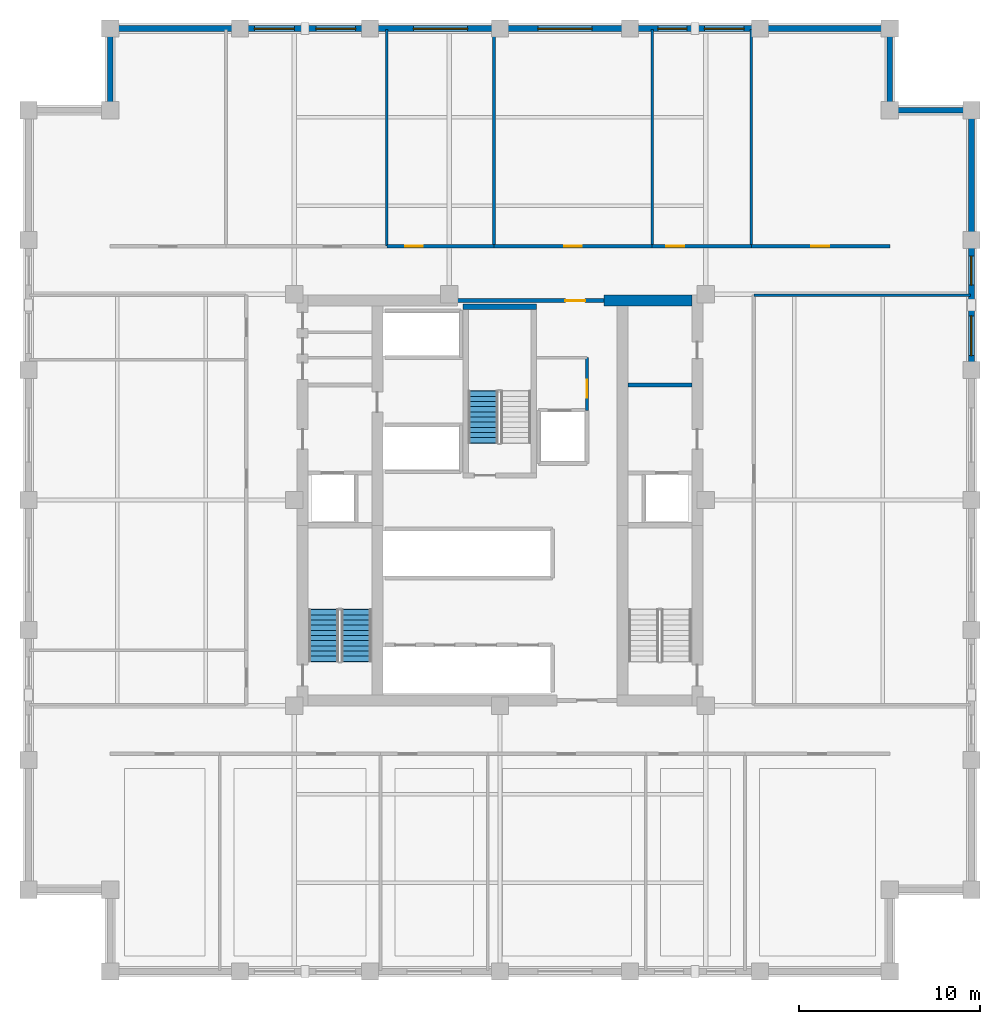
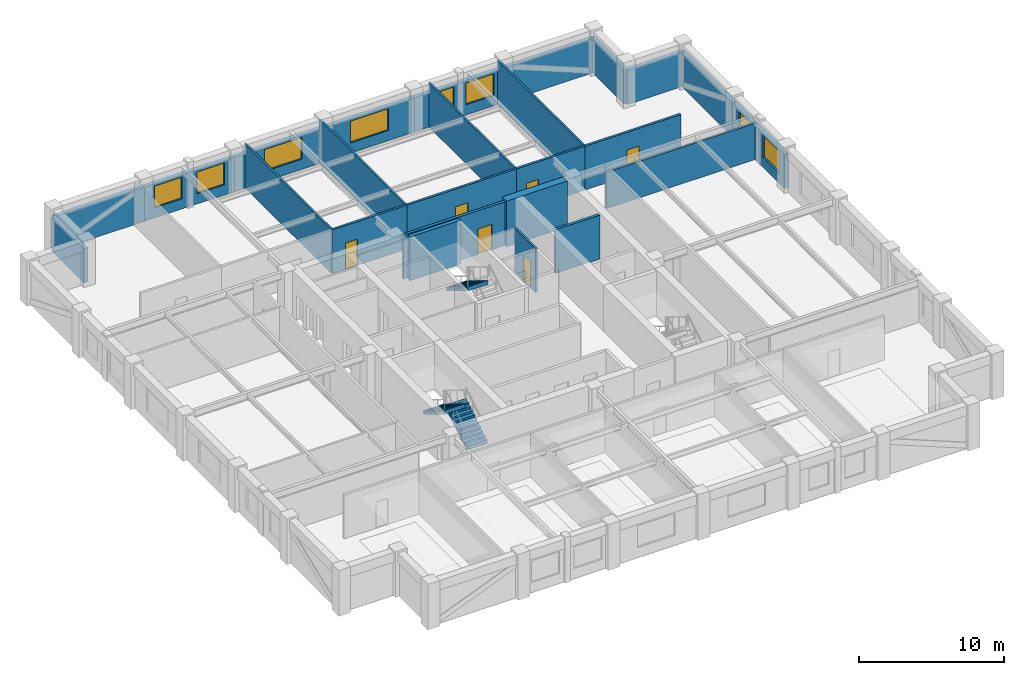
# One storey, part 5 of 9: 25 walls, 8 windows, 6 doors, 3 stair flights, 14 openings, 2 elements without a shape of their own.
"""IFC4 building model written with IfcOpenShell, lengths in metres."""

from ifc_helpers import new_model, si_unit, direction, frame, frame_2d, origin, place, context, subcontext, project, spatial, polyline, rectangle, outline, extrude, material, layer, layer_set, type_object, element, fill, aggregate, save


model = new_model("IFC4")

# Units and contexts
model_context = context("Model", 3, precision=1e-05, world=origin(), true_north=direction((0.0, 1.0)))
body_context = subcontext(model_context, "Body", "Model", "MODEL_VIEW")
ifc_project = project(units=[si_unit("LENGTHUNIT", "METRE"), si_unit("AREAUNIT", "SQUARE_METRE"), si_unit("VOLUMEUNIT", "CUBIC_METRE"), si_unit("PLANEANGLEUNIT", "RADIAN"), si_unit("MASSUNIT", "GRAM", prefix="KILO")], contexts=[model_context])

# Site, building, storey
site_placement = place(None, origin())
site = spatial("IfcSite", under=ifc_project, at=site_placement, CompositionType="ELEMENT")
building_placement = place(site_placement, origin())
building = spatial("IfcBuilding", under=site, at=building_placement, Name="Nhamokura Convention Tower", CompositionType="ELEMENT")
storey_placement = place(building_placement, frame((0.0, 0.0, 122.14990234375)))
storey = spatial("IfcBuildingStorey", under=building, at=storey_placement, Name="L29", CompositionType="ELEMENT", Elevation=122.14990234375)

# Wall
ifc_material_1 = material(Name="Bronze-pigmented precast concrete C45/55", Category="concrete")
ifc_layer_1 = layer(ifc_material_1, 0.320068359375)
ifc_layer_set_1 = layer_set([ifc_layer_1], Name="BronzePrecastSpandrel_320")
wall_type_1 = type_object("IfcWallType", Name="BronzePrecastSpandrel_320", PredefinedType="USERDEFINED", material=ifc_layer_set_1)
wall_1_placement = place(storey_placement, frame((10.5, 58.0, 0.0), z_axis=(0.0, 0.0, 1.0), x_axis=(1.0, 0.0, 0.0)))
element("IfcWall", 1, at=wall_1_placement, inside=storey, type_object=wall_type_1, Name="L29 Braced-Bay Precast Wall NORTH 0", ObjectType="SPANDREL_WALL", PredefinedType="USERDEFINED", context=body_context, shape_type="SweptSolid", body=[
    extrude(rectangle(XDim=7.166748046875, YDim=0.320068359375, at=frame_2d((3.58349609375, 0.0))), origin(), (0.0, 0.0, 1.0), 2.885009765625),
])

# Wall, openings, windows
wall_2_placement = place(storey_placement, frame((17.666748046875, 58.0, 0.0), z_axis=(0.0, 0.0, 1.0), x_axis=(1.0, 0.0, 0.0)))
wall_2 = element("IfcWall", 2, at=wall_2_placement, inside=storey, type_object=wall_type_1, Name="L29 Masonry-Frame Wall NORTH 1", ObjectType="SPANDREL_WALL", PredefinedType="USERDEFINED", context=body_context, shape_type="SweptSolid", body=[
    extrude(rectangle(XDim=7.16650390625, YDim=0.320068359375, at=frame_2d((3.583251953125, 0.0))), origin(), (0.0, 0.0, 1.0), 2.885009765625),
])
opening_1_placement = place(wall_2_placement, frame((0.791748046875, 0.0, 0.85009765625)))
opening_1 = element("IfcOpeningElement", 3, at=opening_1_placement, cuts=wall_2, Name="Opening W-06", PredefinedType="OPENING", context=body_context, shape_type="SweptSolid", body=[
    extrude(rectangle(XDim=2.199951171875, YDim=1.8349609375, at=frame_2d((1.10009765625, 0.91748046875))), frame((0.0, 0.169921875, 0.0), z_axis=(0.0, -1.0, 0.0), x_axis=(1.0, 0.0, 0.0)), (0.0, 0.0, 1.0), 0.340087890625),
])
opening_2_placement = place(wall_2_placement, frame((4.175048828125, 0.0, 0.85009765625)))
opening_2 = element("IfcOpeningElement", 4, at=opening_2_placement, cuts=wall_2, Name="Opening W-06", PredefinedType="OPENING", context=body_context, shape_type="SweptSolid", body=[
    extrude(rectangle(XDim=2.199951171875, YDim=1.8349609375, at=frame_2d((1.10009765625, 0.91748046875))), frame((0.0, 0.169921875, 0.0), z_axis=(0.0, -1.0, 0.0), x_axis=(1.0, 0.0, 0.0)), (0.0, 0.0, 1.0), 0.340087890625),
])
ifc_material_2 = material(Name="Solar-control bronze low-E double glass", Category="glass")
window_type_1 = type_object("IfcWindowType", Name="OfficeModuleWindow_Z2_2200", PartitioningType="SINGLE_PANEL", PredefinedType="WINDOW", material=ifc_material_2)
window_1_placement = place(opening_1_placement, origin())
window_1 = element("IfcWindow", 5, at=window_1_placement, inside=storey, type_object=window_type_1, Name="L29 Facade Window NORTH 1-1", OverallHeight=1.8349609375, OverallWidth=2.199951171875, PartitioningType="SINGLE_PANEL", PredefinedType="WINDOW", context=body_context, shape_type="SweptSolid", body=[
    extrude(rectangle(XDim=2.199951171875, YDim=1.8349609375, at=frame_2d((1.10009765625, 0.91748046875))), frame((0.0, 0.030029296875, 0.0), z_axis=(0.0, -1.0, 0.0), x_axis=(1.0, 0.0, 0.0)), (0.0, 0.0, 1.0), 0.06005859375),
])
fill(opening_1, window_1)
window_2_placement = place(opening_2_placement, origin())
window_2 = element("IfcWindow", 6, at=window_2_placement, inside=storey, type_object=window_type_1, Name="L29 Facade Window NORTH 1-2", OverallHeight=1.8349609375, OverallWidth=2.199951171875, PartitioningType="SINGLE_PANEL", PredefinedType="WINDOW", context=body_context, shape_type="SweptSolid", body=[
    extrude(rectangle(XDim=2.199951171875, YDim=1.8349609375, at=frame_2d((1.10009765625, 0.91748046875))), frame((0.0, 0.030029296875, 0.0), z_axis=(0.0, -1.0, 0.0), x_axis=(1.0, 0.0, 0.0)), (0.0, 0.0, 1.0), 0.06005859375),
])
fill(opening_2, window_2)

# Wall, opening, window
wall_3_placement = place(storey_placement, frame((24.833251953125, 58.0, 0.0), z_axis=(0.0, 0.0, 1.0), x_axis=(1.0, 0.0, 0.0)))
wall_3 = element("IfcWall", 7, at=wall_3_placement, inside=storey, type_object=wall_type_1, Name="L29 Masonry-Frame Wall NORTH 2", ObjectType="SPANDREL_WALL", PredefinedType="USERDEFINED", context=body_context, shape_type="SweptSolid", body=[
    extrude(rectangle(XDim=7.166748046875, YDim=0.320068359375, at=frame_2d((3.58349609375, 0.0))), origin(), (0.0, 0.0, 1.0), 2.885009765625),
])
opening_3_placement = place(wall_3_placement, frame((2.38330078125, 0.0, 0.85009765625)))
opening_3 = element("IfcOpeningElement", 8, at=opening_3_placement, cuts=wall_3, Name="Opening W-05", PredefinedType="OPENING", context=body_context, shape_type="SweptSolid", body=[
    extrude(rectangle(XDim=3.0, YDim=1.8349609375, at=frame_2d((1.5, 0.91748046875))), frame((0.0, 0.169921875, 0.0), z_axis=(0.0, -1.0, 0.0), x_axis=(1.0, 0.0, 0.0)), (0.0, 0.0, 1.0), 0.340087890625),
])
ifc_material_3 = material(Name="Solar-control bronze low-E double glass", Category="glass")
window_type_2 = type_object("IfcWindowType", Name="OfficeModuleWindow_Z2_3000", PartitioningType="DOUBLE_PANEL_VERTICAL", PredefinedType="WINDOW", material=ifc_material_3)
window_3_placement = place(opening_3_placement, origin())
window_3 = element("IfcWindow", 9, at=window_3_placement, inside=storey, type_object=window_type_2, Name="L29 Facade Window NORTH 2", OverallHeight=1.8349609375, OverallWidth=3.0, PartitioningType="SINGLE_PANEL", PredefinedType="WINDOW", context=body_context, shape_type="SweptSolid", body=[
    extrude(rectangle(XDim=3.0, YDim=1.8349609375, at=frame_2d((1.5, 0.91748046875))), frame((0.0, 0.030029296875, 0.0), z_axis=(0.0, -1.0, 0.0), x_axis=(1.0, 0.0, 0.0)), (0.0, 0.0, 1.0), 0.06005859375),
])
fill(opening_3, window_3)

wall_4_placement = place(storey_placement, frame((32.0, 58.0, 0.0), z_axis=(0.0, 0.0, 1.0), x_axis=(1.0, 0.0, 0.0)))
wall_4 = element("IfcWall", 10, at=wall_4_placement, inside=storey, type_object=wall_type_1, Name="L29 Masonry-Frame Wall NORTH 3", ObjectType="SPANDREL_WALL", PredefinedType="USERDEFINED", context=body_context, shape_type="SweptSolid", body=[
    extrude(rectangle(XDim=7.166748046875, YDim=0.320068359375, at=frame_2d((3.58349609375, 0.0))), origin(), (0.0, 0.0, 1.0), 2.885009765625),
])
opening_4_placement = place(wall_4_placement, frame((2.083251953125, 0.0, 0.85009765625)))
opening_4 = element("IfcOpeningElement", 11, at=opening_4_placement, cuts=wall_4, Name="Opening W-05", PredefinedType="OPENING", context=body_context, shape_type="SweptSolid", body=[
    extrude(rectangle(XDim=3.0, YDim=1.8349609375, at=frame_2d((1.5, 0.91748046875))), frame((0.0, 0.169921875, 0.0), z_axis=(0.0, -1.0, 0.0), x_axis=(1.0, 0.0, 0.0)), (0.0, 0.0, 1.0), 0.340087890625),
])
window_4_placement = place(opening_4_placement, origin())
window_4 = element("IfcWindow", 12, at=window_4_placement, inside=storey, type_object=window_type_2, Name="L29 Facade Window NORTH 3", OverallHeight=1.8349609375, OverallWidth=3.0, PartitioningType="SINGLE_PANEL", PredefinedType="WINDOW", context=body_context, shape_type="SweptSolid", body=[
    extrude(rectangle(XDim=3.0, YDim=1.8349609375, at=frame_2d((1.5, 0.91748046875))), frame((0.0, 0.030029296875, 0.0), z_axis=(0.0, -1.0, 0.0), x_axis=(1.0, 0.0, 0.0)), (0.0, 0.0, 1.0), 0.06005859375),
])
fill(opening_4, window_4)

# Wall, openings, windows
wall_5_placement = place(storey_placement, frame((39.166748046875, 58.0, 0.0), z_axis=(0.0, 0.0, 1.0), x_axis=(1.0, 0.0, 0.0)))
wall_5 = element("IfcWall", 13, at=wall_5_placement, inside=storey, type_object=wall_type_1, Name="L29 Masonry-Frame Wall NORTH 4", ObjectType="SPANDREL_WALL", PredefinedType="USERDEFINED", context=body_context, shape_type="SweptSolid", body=[
    extrude(rectangle(XDim=7.16650390625, YDim=0.320068359375, at=frame_2d((3.583251953125, 0.0))), origin(), (0.0, 0.0, 1.0), 2.885009765625),
])
opening_5_placement = place(wall_5_placement, frame((1.541748046875, 0.0, 0.85009765625)))
opening_5 = element("IfcOpeningElement", 14, at=opening_5_placement, cuts=wall_5, Name="Opening W-11", PredefinedType="OPENING", context=body_context, shape_type="SweptSolid", body=[
    extrude(rectangle(XDim=1.60009765625, YDim=1.8349609375, at=frame_2d((0.800048828125, 0.91748046875))), frame((0.0, 0.169921875, 0.0), z_axis=(0.0, -1.0, 0.0), x_axis=(1.0, 0.0, 0.0)), (0.0, 0.0, 1.0), 0.340087890625),
])
opening_6_placement = place(wall_5_placement, frame((4.10009765625, 0.0, 0.85009765625)))
opening_6 = element("IfcOpeningElement", 15, at=opening_6_placement, cuts=wall_5, Name="Opening W-06", PredefinedType="OPENING", context=body_context, shape_type="SweptSolid", body=[
    extrude(rectangle(XDim=2.199951171875, YDim=1.8349609375, at=frame_2d((1.10009765625, 0.91748046875))), frame((0.0, 0.169921875, 0.0), z_axis=(0.0, -1.0, 0.0), x_axis=(1.0, 0.0, 0.0)), (0.0, 0.0, 1.0), 0.340087890625),
])
ifc_material_4 = material(Name="Solar-control bronze low-E double glass", Category="glass")
window_type_3 = type_object("IfcWindowType", Name="NotchCornerWindow_1600", PartitioningType="SINGLE_PANEL", PredefinedType="WINDOW", material=ifc_material_4)
window_5_placement = place(opening_5_placement, origin())
window_5 = element("IfcWindow", 16, at=window_5_placement, inside=storey, type_object=window_type_3, Name="L29 Facade Window NORTH 4-2", OverallHeight=1.8349609375, OverallWidth=1.60009765625, PartitioningType="SINGLE_PANEL", PredefinedType="WINDOW", context=body_context, shape_type="SweptSolid", body=[
    extrude(rectangle(XDim=1.60009765625, YDim=1.8349609375, at=frame_2d((0.800048828125, 0.91748046875))), frame((0.0, 0.030029296875, 0.0), z_axis=(0.0, -1.0, 0.0), x_axis=(1.0, 0.0, 0.0)), (0.0, 0.0, 1.0), 0.06005859375),
])
fill(opening_5, window_5)
window_6_placement = place(opening_6_placement, origin())
window_6 = element("IfcWindow", 17, at=window_6_placement, inside=storey, type_object=window_type_1, Name="L29 Facade Window NORTH 4-3", OverallHeight=1.8349609375, OverallWidth=2.199951171875, PartitioningType="SINGLE_PANEL", PredefinedType="WINDOW", context=body_context, shape_type="SweptSolid", body=[
    extrude(rectangle(XDim=2.199951171875, YDim=1.8349609375, at=frame_2d((1.10009765625, 0.91748046875))), frame((0.0, 0.030029296875, 0.0), z_axis=(0.0, -1.0, 0.0), x_axis=(1.0, 0.0, 0.0)), (0.0, 0.0, 1.0), 0.06005859375),
])
fill(opening_6, window_6)

# Wall
wall_6_placement = place(storey_placement, frame((46.333251953125, 58.0, 0.0), z_axis=(0.0, 0.0, 1.0), x_axis=(1.0, 0.0, 0.0)))
element("IfcWall", 18, at=wall_6_placement, inside=storey, type_object=wall_type_1, Name="L29 Braced-Bay Precast Wall NORTH 5", ObjectType="SPANDREL_WALL", PredefinedType="USERDEFINED", context=body_context, shape_type="SweptSolid", body=[
    extrude(rectangle(XDim=7.166748046875, YDim=0.320068359375, at=frame_2d((3.58349609375, 0.0))), origin(), (0.0, 0.0, 1.0), 2.885009765625),
])

# Wall, openings, windows
wall_7_placement = place(storey_placement, frame((58.0, 46.333251953125, 0.0), z_axis=(0.0, 0.0, 1.0), x_axis=(0.0, -1.0, 0.0)))
wall_7 = element("IfcWall", 19, at=wall_7_placement, inside=storey, type_object=wall_type_1, Name="L29 Masonry-Frame Wall EAST 4", ObjectType="SPANDREL_WALL", PredefinedType="USERDEFINED", context=body_context, shape_type="SweptSolid", body=[
    extrude(rectangle(XDim=7.16650390625, YDim=0.320068359375, at=frame_2d((3.583251953125, 0.0))), origin(), (0.0, 0.0, 1.0), 2.885009765625),
])
opening_7_placement = place(wall_7_placement, frame((0.879150390625, 0.0, 0.85009765625)))
opening_7 = element("IfcOpeningElement", 20, at=opening_7_placement, cuts=wall_7, Name="Opening W-11", PredefinedType="OPENING", context=body_context, shape_type="SweptSolid", body=[
    extrude(rectangle(XDim=1.60009765625, YDim=1.8349609375, at=frame_2d((0.800048828125, 0.91748046875))), frame((0.0, 0.169921875, 0.0), z_axis=(0.0, -1.0, 0.0), x_axis=(1.0, 0.0, 0.0)), (0.0, 0.0, 1.0), 0.340087890625),
])
opening_8_placement = place(wall_7_placement, frame((4.175048828125, 0.0, 0.85009765625)))
opening_8 = element("IfcOpeningElement", 21, at=opening_8_placement, cuts=wall_7, Name="Opening W-06", PredefinedType="OPENING", context=body_context, shape_type="SweptSolid", body=[
    extrude(rectangle(XDim=2.199951171875, YDim=1.8349609375, at=frame_2d((1.10009765625, 0.91748046875))), frame((0.0, 0.169921875, 0.0), z_axis=(0.0, -1.0, 0.0), x_axis=(1.0, 0.0, 0.0)), (0.0, 0.0, 1.0), 0.340087890625),
])
window_7_placement = place(opening_7_placement, origin())
window_7 = element("IfcWindow", 22, at=window_7_placement, inside=storey, type_object=window_type_3, Name="L29 Facade Window EAST 4-1", OverallHeight=1.8349609375, OverallWidth=1.60009765625, PartitioningType="SINGLE_PANEL", PredefinedType="WINDOW", context=body_context, shape_type="SweptSolid", body=[
    extrude(rectangle(XDim=1.60009765625, YDim=1.8349609375, at=frame_2d((0.800048828125, 0.91748046875))), frame((0.0, 0.030029296875, 0.0), z_axis=(0.0, -1.0, 0.0), x_axis=(1.0, 0.0, 0.0)), (0.0, 0.0, 1.0), 0.06005859375),
])
fill(opening_7, window_7)
window_8_placement = place(opening_8_placement, origin())
window_8 = element("IfcWindow", 23, at=window_8_placement, inside=storey, type_object=window_type_1, Name="L29 Facade Window EAST 4-2", OverallHeight=1.8349609375, OverallWidth=2.199951171875, PartitioningType="SINGLE_PANEL", PredefinedType="WINDOW", context=body_context, shape_type="SweptSolid", body=[
    extrude(rectangle(XDim=2.199951171875, YDim=1.8349609375, at=frame_2d((1.10009765625, 0.91748046875))), frame((0.0, 0.030029296875, 0.0), z_axis=(0.0, -1.0, 0.0), x_axis=(1.0, 0.0, 0.0)), (0.0, 0.0, 1.0), 0.06005859375),
])
fill(opening_8, window_8)

# Walls
wall_8_placement = place(storey_placement, frame((58.0, 53.5, 0.0), z_axis=(0.0, 0.0, 1.0), x_axis=(0.0, -1.0, 0.0)))
element("IfcWall", 24, at=wall_8_placement, inside=storey, type_object=wall_type_1, Name="L29 Braced-Bay Precast Wall EAST 5", ObjectType="SPANDREL_WALL", PredefinedType="USERDEFINED", context=body_context, shape_type="SweptSolid", body=[
    extrude(rectangle(XDim=7.166748046875, YDim=0.320068359375, at=frame_2d((3.58349609375, 0.0))), origin(), (0.0, 0.0, 1.0), 2.885009765625),
])
for number, where, z_axis, x_axis, name in (
    (25, (53.5, 53.5, 0.0), (0.0, 0.0, 1.0), (1.0, 0.0, 0.0), "L29 Notched Corner Wall NE1"),
    (26, (53.5, 58.0, 0.0), (0.0, 0.0, 1.0), (0.0, -1.0, 0.0), "L29 Notched Corner Wall NE2"),
    (27, (10.5, 53.5, 0.0), (0.0, 0.0, 1.0), (0.0, 1.0, 0.0), "L29 Notched Corner Wall NW1"),
):
    element("IfcWall", number, at=place(storey_placement, frame(where, z_axis=z_axis, x_axis=x_axis)), inside=storey, type_object=wall_type_1, Name=name, ObjectType="SPANDREL_WALL", PredefinedType="USERDEFINED", context=body_context, shape_type="SweptSolid", body=[
        extrude(rectangle(XDim=4.5, YDim=0.320068359375, at=frame_2d((2.25, 0.0))), origin(), (0.0, 0.0, 1.0), 2.885009765625),
    ])
ifc_material_5 = material(Name="Concrete C60/75", Category="concrete")
ifc_layer_2 = layer(ifc_material_5, 0.60009765625)
ifc_layer_set_2 = layer_set([ifc_layer_2], Name="CoreShearWall_600")
wall_type_2 = type_object("IfcWallType", Name="CoreShearWall_600", PredefinedType="SHEAR", material=ifc_layer_set_2)
wall_9_placement = place(storey_placement, frame((37.75, 43.0, 0.0), z_axis=(0.0, 0.0, 1.0), x_axis=(1.0, 0.0, 0.0)))
element("IfcWall", 28, at=wall_9_placement, inside=storey, type_object=wall_type_2, Name="L29 Core Shear Wall CW-N2", PredefinedType="SHEAR", context=body_context, shape_type="SweptSolid", body=[
    extrude(rectangle(XDim=4.840087890625, YDim=0.60009765625, at=frame_2d((2.419921875, 0.0))), origin(), (0.0, 0.0, 1.0), 3.85009765625),
])

# Wall, opening, door
ifc_material_6 = material(Name="Fire-rated gypsum and masonry partition", Category="masonry")
ifc_layer_3 = layer(ifc_material_6, 0.179931640625)
ifc_layer_set_3 = layer_set([ifc_layer_3], Name="CorridorRatedWall_180")
wall_type_3 = type_object("IfcWallType", Name="CorridorRatedWall_180", PredefinedType="STANDARD", material=ifc_layer_set_3)
wall_10_placement = place(storey_placement, frame((25.75830078125, 46.0, 0.0), z_axis=(0.0, 0.0, 1.0), x_axis=(1.0, 0.0, 0.0)))
wall_10 = element("IfcWall", 29, at=wall_10_placement, inside=storey, type_object=wall_type_3, Name="L29 Wall INT-L29-CW-N02", PredefinedType="STANDARD", context=body_context, shape_type="SweptSolid", body=[
    extrude(rectangle(XDim=5.916748046875, YDim=0.179931640625, at=frame_2d((2.95849609375, 0.0))), origin(), (0.0, 0.0, 1.0), 3.68505859375),
])
opening_9_placement = place(wall_10_placement, frame((1.00830078125, 0.0, 0.0)))
opening_9 = element("IfcOpeningElement", 30, at=opening_9_placement, cuts=wall_10, Name="Opening D-08", PredefinedType="OPENING", context=body_context, shape_type="SweptSolid", body=[
    extrude(rectangle(XDim=0.97998046875, YDim=2.199951171875, at=frame_2d((0.489990234375, 1.10009765625))), frame((0.0, 0.099853515625, 0.0), z_axis=(0.0, -1.0, 0.0), x_axis=(1.0, 0.0, 0.0)), (0.0, 0.0, 1.0), 0.199951171875),
])
ifc_material_7 = material(Name="Solid oak hardwood", Category="wood")
door_type_1 = type_object("IfcDoorType", Name="OfficeEntryDoor_980", OperationType="NOTDEFINED", PredefinedType="DOOR", material=ifc_material_7)
door_1_placement = place(opening_9_placement, origin())
door_1 = element("IfcDoor", 31, at=door_1_placement, inside=storey, type_object=door_type_1, Name="L29 Training Classroom N03 Door", OperationType="SINGLE_SWING_LEFT", OverallHeight=2.199951171875, OverallWidth=0.97998046875, PredefinedType="DOOR", context=body_context, shape_type="SweptSolid", body=[
    extrude(rectangle(XDim=0.97998046875, YDim=2.199951171875, at=frame_2d((0.489990234375, 1.10009765625))), frame((0.0, 0.02490234375, 0.0), z_axis=(0.0, -1.0, 0.0), x_axis=(1.0, 0.0, 0.0)), (0.0, 0.0, 1.0), 0.050048828125),
])
fill(opening_9, door_1)

wall_11_placement = place(storey_placement, frame((31.675048828125, 46.0, 0.0), z_axis=(0.0, 0.0, 1.0), x_axis=(1.0, 0.0, 0.0)))
wall_11 = element("IfcWall", 32, at=wall_11_placement, inside=storey, type_object=wall_type_3, Name="L29 Wall INT-L29-CW-N03", PredefinedType="STANDARD", context=body_context, shape_type="SweptSolid", body=[
    extrude(rectangle(XDim=8.716552734375, YDim=0.179931640625, at=frame_2d((4.3583984375, 0.0))), origin(), (0.0, 0.0, 1.0), 3.68505859375),
])
opening_10_placement = place(wall_11_placement, frame((3.8583984375, 0.0, 0.0)))
opening_10 = element("IfcOpeningElement", 33, at=opening_10_placement, cuts=wall_11, Name="Opening D-08", PredefinedType="OPENING", context=body_context, shape_type="SweptSolid", body=[
    extrude(rectangle(XDim=0.97998046875, YDim=2.199951171875, at=frame_2d((0.489990234375, 1.10009765625))), frame((0.0, 0.099853515625, 0.0), z_axis=(0.0, -1.0, 0.0), x_axis=(1.0, 0.0, 0.0)), (0.0, 0.0, 1.0), 0.199951171875),
])
door_2_placement = place(opening_10_placement, origin())
door_2 = element("IfcDoor", 34, at=door_2_placement, inside=storey, type_object=door_type_1, Name="L29 Law Library N04 Door", OperationType="SINGLE_SWING_RIGHT", OverallHeight=2.199951171875, OverallWidth=0.97998046875, PredefinedType="DOOR", context=body_context, shape_type="SweptSolid", body=[
    extrude(rectangle(XDim=0.97998046875, YDim=2.199951171875, at=frame_2d((0.489990234375, 1.10009765625))), frame((0.0, 0.02490234375, 0.0), z_axis=(0.0, -1.0, 0.0), x_axis=(1.0, 0.0, 0.0)), (0.0, 0.0, 1.0), 0.050048828125),
])
fill(opening_10, door_2)

wall_12_placement = place(storey_placement, frame((40.3916015625, 46.0, 0.0), z_axis=(0.0, 0.0, 1.0), x_axis=(1.0, 0.0, 0.0)))
wall_12 = element("IfcWall", 35, at=wall_12_placement, inside=storey, type_object=wall_type_3, Name="L29 Wall INT-L29-CW-N04", PredefinedType="STANDARD", context=body_context, shape_type="SweptSolid", body=[
    extrude(rectangle(XDim=5.466796875, YDim=0.179931640625, at=frame_2d((2.7333984375, 0.0))), origin(), (0.0, 0.0, 1.0), 3.68505859375),
])
opening_11_placement = place(wall_12_placement, frame((0.783203125, 0.0, 0.0)))
opening_11 = element("IfcOpeningElement", 36, at=opening_11_placement, cuts=wall_12, Name="Opening D-08", PredefinedType="OPENING", context=body_context, shape_type="SweptSolid", body=[
    extrude(rectangle(XDim=0.97998046875, YDim=2.199951171875, at=frame_2d((0.489990234375, 1.10009765625))), frame((0.0, 0.099853515625, 0.0), z_axis=(0.0, -1.0, 0.0), x_axis=(1.0, 0.0, 0.0)), (0.0, 0.0, 1.0), 0.199951171875),
])
door_3_placement = place(opening_11_placement, origin())
door_3 = element("IfcDoor", 37, at=door_3_placement, inside=storey, type_object=door_type_1, Name="L29 Training Classroom N05 Door", OperationType="SINGLE_SWING_LEFT", OverallHeight=2.199951171875, OverallWidth=0.97998046875, PredefinedType="DOOR", context=body_context, shape_type="SweptSolid", body=[
    extrude(rectangle(XDim=0.97998046875, YDim=2.199951171875, at=frame_2d((0.489990234375, 1.10009765625))), frame((0.0, 0.02490234375, 0.0), z_axis=(0.0, -1.0, 0.0), x_axis=(1.0, 0.0, 0.0)), (0.0, 0.0, 1.0), 0.050048828125),
])
fill(opening_11, door_3)

wall_13_placement = place(storey_placement, frame((45.8583984375, 46.0, 0.0), z_axis=(0.0, 0.0, 1.0), x_axis=(1.0, 0.0, 0.0)))
wall_13 = element("IfcWall", 38, at=wall_13_placement, inside=storey, type_object=wall_type_3, Name="L29 Wall INT-L29-CW-N05", PredefinedType="STANDARD", context=body_context, shape_type="SweptSolid", body=[
    extrude(rectangle(XDim=7.6416015625, YDim=0.179931640625, at=frame_2d((3.82080078125, 0.0))), origin(), (0.0, 0.0, 1.0), 3.68505859375),
])
opening_12_placement = place(wall_13_placement, frame((3.32080078125, 0.0, 0.0)))
opening_12 = element("IfcOpeningElement", 39, at=opening_12_placement, cuts=wall_13, Name="Opening D-08", PredefinedType="OPENING", context=body_context, shape_type="SweptSolid", body=[
    extrude(rectangle(XDim=0.97998046875, YDim=2.199951171875, at=frame_2d((0.489990234375, 1.10009765625))), frame((0.0, 0.099853515625, 0.0), z_axis=(0.0, -1.0, 0.0), x_axis=(1.0, 0.0, 0.0)), (0.0, 0.0, 1.0), 0.199951171875),
])
door_4_placement = place(opening_12_placement, origin())
door_4 = element("IfcDoor", 40, at=door_4_placement, inside=storey, type_object=door_type_1, Name="L29 Law Library N06 Door", OperationType="SINGLE_SWING_RIGHT", OverallHeight=2.199951171875, OverallWidth=0.97998046875, PredefinedType="DOOR", context=body_context, shape_type="SweptSolid", body=[
    extrude(rectangle(XDim=0.97998046875, YDim=2.199951171875, at=frame_2d((0.489990234375, 1.10009765625))), frame((0.0, 0.02490234375, 0.0), z_axis=(0.0, -1.0, 0.0), x_axis=(1.0, 0.0, 0.0)), (0.0, 0.0, 1.0), 0.050048828125),
])
fill(opening_12, door_4)

# Wall
ifc_material_8 = material(Name="Autoclaved concrete blockwork", Category="masonry")
ifc_layer_4 = layer(ifc_material_8, 0.219970703125)
ifc_layer_set_4 = layer_set([ifc_layer_4], Name="FireLobbyWall_220")
wall_type_4 = type_object("IfcWallType", Name="FireLobbyWall_220", PredefinedType="STANDARD", material=ifc_layer_set_4)
wall_14_placement = place(storey_placement, frame((39.06005859375, 38.35009765625, 0.0), z_axis=(0.0, 0.0, 1.0), x_axis=(1.0, 0.0, 0.0)))
element("IfcWall", 41, at=wall_14_placement, inside=storey, type_object=wall_type_4, Name="L29 Wall INT-L29-FFE-N", PredefinedType="STANDARD", context=body_context, shape_type="SweptSolid", body=[
    extrude(rectangle(XDim=3.530029296875, YDim=0.219970703125, at=frame_2d((1.76513671875, 0.0))), origin(), (0.0, 0.0, 1.0), 3.68505859375),
])

# Wall, opening, door
wall_15_placement = place(storey_placement, frame((29.64990234375, 43.0, 0.0), z_axis=(0.0, 0.0, 1.0), x_axis=(1.0, 0.0, 0.0)))
wall_15 = element("IfcWall", 42, at=wall_15_placement, inside=storey, type_object=wall_type_4, Name="L29 Wall INT-L29-CPORT-N", PredefinedType="STANDARD", context=body_context, shape_type="SweptSolid", body=[
    extrude(rectangle(XDim=8.10009765625, YDim=0.219970703125, at=frame_2d((4.050048828125, 0.0))), origin(), (0.0, 0.0, 1.0), 3.68505859375),
])
opening_13_placement = place(wall_15_placement, frame((5.949951171875, 0.0, 0.0)))
opening_13 = element("IfcOpeningElement", 43, at=opening_13_placement, cuts=wall_15, Name="Opening D-05", PredefinedType="OPENING", context=body_context, shape_type="SweptSolid", body=[
    extrude(rectangle(XDim=1.10009765625, YDim=2.14990234375, at=frame_2d((0.550048828125, 1.074951171875))), frame((0.0, 0.119873046875, 0.0), z_axis=(0.0, -1.0, 0.0), x_axis=(1.0, 0.0, 0.0)), (0.0, 0.0, 1.0), 0.239990234375),
])
ifc_material_9 = material(Name="Fire-rated steel door", Category="steel")
door_type_2 = type_object("IfcDoorType", Name="FireLobbyDoor_1100", OperationType="NOTDEFINED", PredefinedType="DOOR", material=ifc_material_9)
door_5_placement = place(opening_13_placement, origin())
door_5 = element("IfcDoor", 44, at=door_5_placement, inside=storey, type_object=door_type_2, Name="L29 North Core Lobby Portal Door", OperationType="SINGLE_SWING_RIGHT", OverallHeight=2.14990234375, OverallWidth=1.10009765625, PredefinedType="DOOR", context=body_context, shape_type="SweptSolid", body=[
    extrude(rectangle(XDim=1.10009765625, YDim=2.14990234375, at=frame_2d((0.550048828125, 1.074951171875))), frame((0.0, 0.02490234375, 0.0), z_axis=(0.0, -1.0, 0.0), x_axis=(1.0, 0.0, 0.0)), (0.0, 0.0, 1.0), 0.050048828125),
])
fill(opening_13, door_5)

ifc_material_10 = material(Name="Acoustic gypsum stud partition", Category="masonry")
ifc_layer_5 = layer(ifc_material_10, 0.14990234375)
ifc_layer_set_5 = layer_set([ifc_layer_5], Name="InteriorPartition_150")
wall_type_5 = type_object("IfcWallType", Name="InteriorPartition_150", PredefinedType="STANDARD", material=ifc_layer_set_5)
wall_16_placement = place(storey_placement, frame((36.800048828125, 36.949951171875, 0.0), z_axis=(0.0, 0.0, 1.0), x_axis=(0.0, 1.0, 0.0)))
wall_16 = element("IfcWall", 45, at=wall_16_placement, inside=storey, type_object=wall_type_5, Name="L29 Wall INT-L29-NE-TELE", PredefinedType="STANDARD", context=body_context, shape_type="SweptSolid", body=[
    extrude(rectangle(XDim=2.900146484375, YDim=0.14990234375, at=frame_2d((1.4501953125, 0.0))), origin(), (0.0, 0.0, 1.0), 3.68505859375),
])
opening_14_placement = place(wall_16_placement, frame((0.699951171875, 0.0, 0.0)))
opening_14 = element("IfcOpeningElement", 46, at=opening_14_placement, cuts=wall_16, Name="Opening D-08", PredefinedType="OPENING", context=body_context, shape_type="SweptSolid", body=[
    extrude(rectangle(XDim=0.97998046875, YDim=2.199951171875, at=frame_2d((0.489990234375, 1.10009765625))), frame((0.0, 0.0849609375, 0.0), z_axis=(0.0, -1.0, 0.0), x_axis=(1.0, 0.0, 0.0)), (0.0, 0.0, 1.0), 0.169921875),
])
door_6_placement = place(opening_14_placement, origin())
door_6 = element("IfcDoor", 47, at=door_6_placement, inside=storey, type_object=door_type_1, Name="L29 Core Telecom Door", OperationType="SINGLE_SWING_LEFT", OverallHeight=2.199951171875, OverallWidth=0.97998046875, PredefinedType="DOOR", context=body_context, shape_type="SweptSolid", body=[
    extrude(rectangle(XDim=0.97998046875, YDim=2.199951171875, at=frame_2d((0.489990234375, 1.10009765625))), frame((0.0, 0.02490234375, 0.0), z_axis=(0.0, -1.0, 0.0), x_axis=(1.0, 0.0, 0.0)), (0.0, 0.0, 1.0), 0.050048828125),
])
fill(opening_14, door_6)

# Walls
for number, where, z_axis, x_axis, name in (
    (48, (25.75830078125, 46.0, 0.0), (0.0, 0.0, 1.0), (0.0, 1.0, 0.0), "L29 Wall INT-L29-RW-N02"),
    (49, (31.675048828125, 46.0, 0.0), (0.0, 0.0, 1.0), (0.0, 1.0, 0.0), "L29 Wall INT-L29-RW-N03"),
    (50, (40.3916015625, 46.0, 0.0), (0.0, 0.0, 1.0), (0.0, 1.0, 0.0), "L29 Wall INT-L29-RW-N04"),
    (51, (45.8583984375, 46.0, 0.0), (0.0, 0.0, 1.0), (0.0, 1.0, 0.0), "L29 Wall INT-L29-RW-N05"),
):
    element("IfcWall", number, at=place(storey_placement, frame(where, z_axis=z_axis, x_axis=x_axis)), inside=storey, type_object=wall_type_5, Name=name, PredefinedType="STANDARD", context=body_context, shape_type="SweptSolid", body=[
        extrude(rectangle(XDim=11.93994140625, YDim=0.14990234375, at=frame_2d((5.969970703125, 0.0))), origin(), (0.0, 0.0, 1.0), 3.68505859375),
    ])
wall_17_placement = place(storey_placement, frame((46.0, 43.300048828125, 0.0), z_axis=(0.0, 0.0, 1.0), x_axis=(1.0, 0.0, 0.0)))
element("IfcWall", 52, at=wall_17_placement, inside=storey, type_object=wall_type_5, Name="L29 Wall INT-L29-RWT-E", PredefinedType="STANDARD", context=body_context, shape_type="SweptSolid", body=[
    extrude(rectangle(XDim=11.93994140625, YDim=0.14990234375, at=frame_2d((5.969970703125, 0.0))), origin(), (0.0, 0.0, 1.0), 3.065185546875),
])
ifc_material_11 = material(Name="Concrete C50/60", Category="concrete")
ifc_layer_6 = layer(ifc_material_11, 0.300048828125)
ifc_layer_set_6 = layer_set([ifc_layer_6], Name="ShaftEnclosureWall_300")
wall_type_6 = type_object("IfcWallType", Name="ShaftEnclosureWall_300", PredefinedType="SHEAR", material=ifc_layer_set_6)
wall_18_placement = place(storey_placement, frame((29.949951171875, 42.64990234375, 0.0), z_axis=(0.0, 0.0, 1.0), x_axis=(1.0, 0.0, 0.0)))
element("IfcWall", 53, at=wall_18_placement, inside=storey, type_object=wall_type_6, Name="L29 Wall INT-L29-ST03N", PredefinedType="SHEAR", context=body_context, shape_type="SweptSolid", body=[
    extrude(rectangle(XDim=4.050048828125, YDim=0.300048828125, at=frame_2d((2.02490234375, 0.0))), origin(), (0.0, 0.0, 1.0), 3.68505859375),
])

# Stair, stair flights
ifc_material_12 = material(Name="Concrete C40/50", Category="concrete")
stair_type = type_object("IfcStairType", Name="TowerCoreStair_1650", PredefinedType="HALF_TURN_STAIR", material=ifc_material_12)
stair_1_placement = place(storey_placement, origin())
stair_1 = element("IfcStair", 54, at=stair_1_placement, inside=storey, type_object=stair_type, Name="L29 West Core Smokeproof Stair ST-01", PredefinedType="HALF_TURN_STAIR")
ifc_material_13 = material(Name="Concrete C40/50", Category="concrete")
stair_flight_type = type_object("IfcStairFlightType", Name="TowerCoreStair_1650_Flight", PredefinedType="STRAIGHT", material=ifc_material_13)
stair_flight_1_placement = place(storey_placement, frame((24.074951171875, 23.10009765625, 0.0), z_axis=(0.0, 0.0, 1.0), x_axis=(0.0, 1.0, 0.0)))
stair_flight_1 = element("IfcStairFlight", 55, at=stair_flight_1_placement, type_object=stair_flight_type, Name="ST-01 flight 1", NumberOfRisers=11, NumberOfTreads=10, PredefinedType="STRAIGHT", RiserHeight=0.175, TreadLength=0.285, context=body_context, shape_type="SweptSolid", body=[
    extrude(outline(polyline([(-0.0419921875, 0.0), (0.0, 0.175048828125), (0.284912109375, 0.175048828125), (0.284912109375, 0.35009765625), (0.570068359375, 0.35009765625), (0.570068359375, 0.52490234375), (0.85498046875, 0.52490234375), (0.85498046875, 0.699951171875), (1.139892578125, 0.699951171875), (1.139892578125, 0.875), (1.425048828125, 0.875), (1.425048828125, 1.050048828125), (1.7099609375, 1.050048828125), (1.7099609375, 1.22509765625), (1.9951171875, 1.22509765625), (1.9951171875, 1.39990234375), (2.280029296875, 1.39990234375), (2.280029296875, 1.574951171875), (2.56494140625, 1.574951171875), (2.56494140625, 1.75), (2.85009765625, 1.75), (2.85009765625, 1.925048828125), (2.89208984375, 1.925048828125), (2.89208984375, 1.573974609375), (2.85009765625, 1.573974609375), (0.286376953125, 0.0), (0.02001953125, -0.1298828125), (-0.0419921875, -0.1298828125), (-0.0419921875, 0.0)])), frame((0.0, 0.824951171875, 0.0), z_axis=(0.0, -1.0, 0.0), x_axis=(1.0, 0.0, 0.0)), (0.0, 0.0, 1.0), 1.64990234375),
])
stair_flight_2_placement = place(storey_placement, frame((22.27490234375, 25.949951171875, 1.925048828125), z_axis=(0.0, 0.0, 1.0), x_axis=(0.0, -1.0, 0.0)))
stair_flight_2 = element("IfcStairFlight", 56, at=stair_flight_2_placement, type_object=stair_flight_type, Name="ST-01 flight 2", NumberOfRisers=11, NumberOfTreads=10, PredefinedType="STRAIGHT", RiserHeight=0.175, TreadLength=0.285, context=body_context, shape_type="SweptSolid", body=[
    extrude(outline(polyline([(-0.0419921875, 0.0), (0.0, 0.175048828125), (0.284912109375, 0.175048828125), (0.284912109375, 0.35009765625), (0.570068359375, 0.35009765625), (0.570068359375, 0.52490234375), (0.85498046875, 0.52490234375), (0.85498046875, 0.699951171875), (1.139892578125, 0.699951171875), (1.139892578125, 0.875), (1.425048828125, 0.875), (1.425048828125, 1.050048828125), (1.7099609375, 1.050048828125), (1.7099609375, 1.22509765625), (1.9951171875, 1.22509765625), (1.9951171875, 1.39990234375), (2.280029296875, 1.39990234375), (2.280029296875, 1.574951171875), (2.56494140625, 1.574951171875), (2.56494140625, 1.75), (2.85009765625, 1.75), (2.85009765625, 1.925048828125), (2.89208984375, 1.925048828125), (2.89208984375, 1.573974609375), (2.85009765625, 1.573974609375), (0.286376953125, 0.0), (0.02001953125, -0.1298828125), (-0.0419921875, -0.1298828125), (-0.0419921875, 0.0)])), frame((0.0, 0.824951171875, 0.0), z_axis=(0.0, -1.0, 0.0), x_axis=(1.0, 0.0, 0.0)), (0.0, 0.0, 1.0), 1.64990234375),
])
aggregate(stair_1, [stair_flight_1, stair_flight_2])

# Stair, stair flight
stair_2_placement = place(storey_placement, origin())
stair_2 = element("IfcStair", 57, at=stair_2_placement, inside=storey, type_object=stair_type, Name="L29 North Core Smokeproof Stair ST-03", PredefinedType="HALF_TURN_STAIR")
stair_flight_3_placement = place(storey_placement, frame((31.074951171875, 38.0, 1.925048828125), z_axis=(0.0, 0.0, 1.0), x_axis=(0.0, -1.0, 0.0)))
stair_flight_3 = element("IfcStairFlight", 58, at=stair_flight_3_placement, type_object=stair_flight_type, Name="ST-03 flight 2", NumberOfRisers=11, NumberOfTreads=10, PredefinedType="STRAIGHT", RiserHeight=0.175, TreadLength=0.285, context=body_context, shape_type="SweptSolid", body=[
    extrude(outline(polyline([(-0.0419921875, 0.0), (0.0, 0.175048828125), (0.284912109375, 0.175048828125), (0.284912109375, 0.35009765625), (0.570068359375, 0.35009765625), (0.570068359375, 0.52490234375), (0.85498046875, 0.52490234375), (0.85498046875, 0.699951171875), (1.139892578125, 0.699951171875), (1.139892578125, 0.875), (1.425048828125, 0.875), (1.425048828125, 1.050048828125), (1.7099609375, 1.050048828125), (1.7099609375, 1.22509765625), (1.9951171875, 1.22509765625), (1.9951171875, 1.39990234375), (2.280029296875, 1.39990234375), (2.280029296875, 1.574951171875), (2.56494140625, 1.574951171875), (2.56494140625, 1.75), (2.85009765625, 1.75), (2.85009765625, 1.925048828125), (2.89208984375, 1.925048828125), (2.89208984375, 1.573974609375), (2.85009765625, 1.573974609375), (0.286376953125, 0.0), (0.02001953125, -0.1298828125), (-0.0419921875, -0.1298828125), (-0.0419921875, 0.0)])), frame((0.0, 0.824951171875, 0.0), z_axis=(0.0, -1.0, 0.0), x_axis=(1.0, 0.0, 0.0)), (0.0, 0.0, 1.0), 1.64990234375),
])
aggregate(stair_2, [stair_flight_3])

save(model, "model.ifc")
